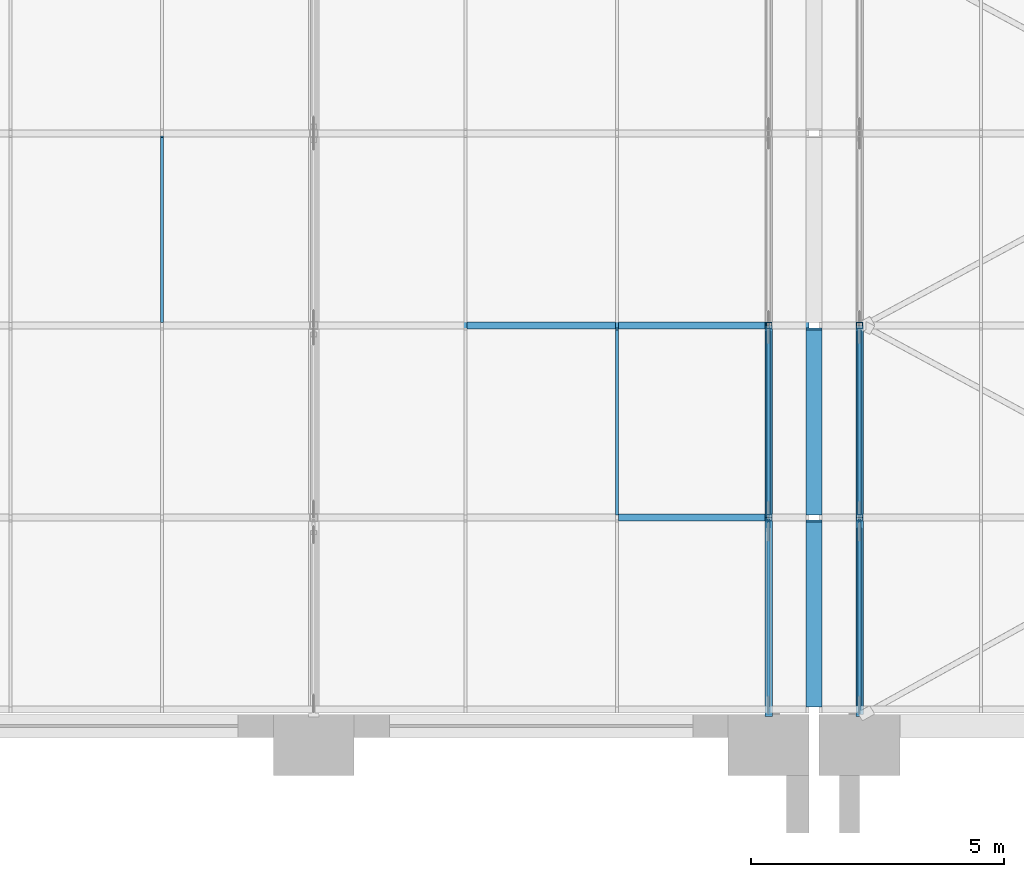
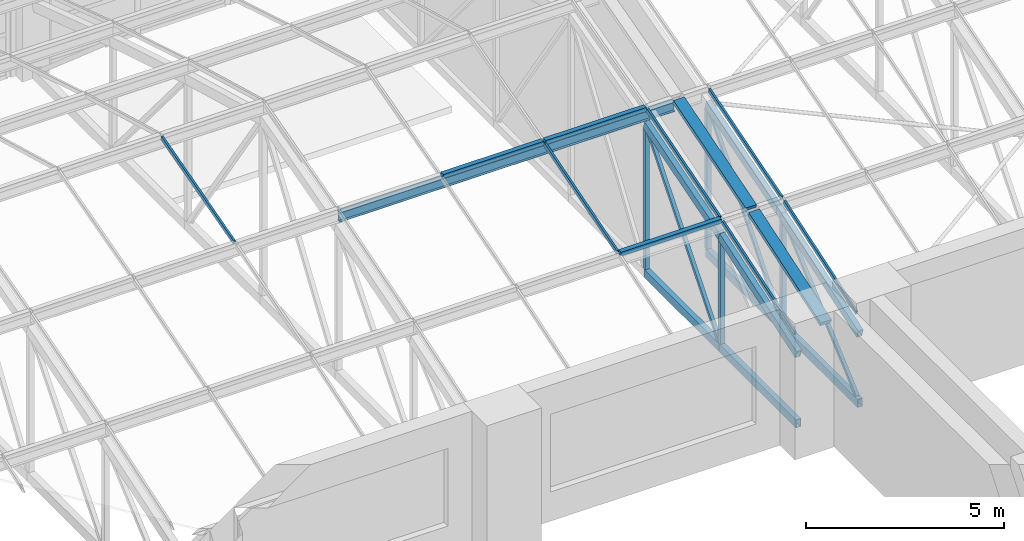
# One storey, part 22 of 82: 27 members, 2 elements without a shape of their own.
"""IFC4 building model written with IfcOpenShell, lengths in metres."""

from ifc_helpers import new_model, si_unit, direction, frame, origin, origin_2d, place, context, subcontext, project, spatial, rectangle, hollow_rectangle, i_section, extrude, material, material_profile, profile_set, type_object, element, aggregate, save


model = new_model("IFC4")

# Units and contexts
model_context = context("Model", 3, precision=1e-05, world=origin(), true_north=direction((0.0, 1.0)))
body_context = subcontext(model_context, "Body", "Model", "MODEL_VIEW")
ifc_project = project(units=[si_unit("LENGTHUNIT", "METRE"), si_unit("AREAUNIT", "SQUARE_METRE"), si_unit("VOLUMEUNIT", "CUBIC_METRE"), si_unit("PLANEANGLEUNIT", "RADIAN"), si_unit("MASSUNIT", "GRAM", prefix="KILO")], contexts=[model_context])

# Site, building, storey
site_placement = place(None, origin())
site = spatial("IfcSite", under=ifc_project, at=site_placement, CompositionType="ELEMENT")
building_placement = place(site_placement, origin())
building = spatial("IfcBuilding", under=site, at=building_placement, Name="Aravalli Gate Trade Fair Centre", CompositionType="ELEMENT")
storey_placement = place(building_placement, frame((0.0, 0.0, 19.199951171875)))
storey = spatial("IfcBuildingStorey", under=building, at=storey_placement, Name="L04", CompositionType="ELEMENT", Elevation=19.199951171875)

# Members
ifc_material_1 = material(Name="Steel E350", Category="steel")
ifc_material_profile_1 = material_profile(ifc_material_1, i_section(OverallWidth=0.139892578125, OverallDepth=0.300048828125, WebThickness=0.0078125, FlangeThickness=0.01318359375, at=origin_2d()), Name="ISMB 300")
ifc_profile_set_1 = profile_set([ifc_material_profile_1], Name="Steel E350")
member_type_1 = type_object("IfcMemberType", Name="ISMB 300 roof purlin", PredefinedType="PURLIN", material=ifc_profile_set_1)
member_1_placement = place(storey_placement, frame((96.0, 117.300048828125, 4.999267578125), z_axis=(1.0, 0.0, 0.0), x_axis=(0.0, 1.0, 0.0)))
element("IfcMember", 1, at=member_1_placement, inside=storey, type_object=member_type_1, Name="Vault purlin 11-12 F2", PredefinedType="PURLIN", context=body_context, shape_type="SweptSolid", body=[
    extrude(i_section(OverallWidth=0.139892578125, OverallDepth=0.300048828125, WebThickness=0.0078125, FlangeThickness=0.01318359375, at=origin_2d()), origin(), (0.0, 0.0, 1.0), 9.800048828125),
])
ifc_material_profile_2 = material_profile(ifc_material_1, hollow_rectangle(XDim=0.14990234375, YDim=0.25, WallThickness=0.010009765625, at=origin_2d()), Name="RHS 250x150x10")
ifc_profile_set_2 = profile_set([ifc_material_profile_2], Name="Steel E350")
member_type_2 = type_object("IfcMemberType", Name="RHS 250x150x10 CT2 truss chord", PredefinedType="CHORD", material=ifc_profile_set_2)
member_2_placement = place(storey_placement, frame((105.0, 109.60009765625, 2.265625), z_axis=(0.0, 0.949936473318, 0.312443109479), x_axis=(-1.0, 0.0, 0.0)))
element("IfcMember", 2, at=member_2_placement, inside=storey, type_object=member_type_2, Name="Concourse vault truss CT2 line 12 top chord T1", PredefinedType="CHORD", context=body_context, shape_type="SweptSolid", body=[
    extrude(hollow_rectangle(XDim=0.14990234375, YDim=0.25, WallThickness=0.010009765625, at=origin_2d()), origin(), (0.0, 0.0, 1.0), 4.10546875),
])
member_3_placement = place(storey_placement, frame((105.0, 109.60009765625, 0.125), z_axis=(0.0, 1.0, 0.0), x_axis=(-1.0, 0.0, 0.0)))
element("IfcMember", 3, at=member_3_placement, inside=storey, type_object=member_type_2, Name="Concourse vault truss CT2 line 12 bottom chord B1", PredefinedType="CHORD", context=body_context, shape_type="SweptSolid", body=[
    extrude(hollow_rectangle(XDim=0.14990234375, YDim=0.25, WallThickness=0.010009765625, at=origin_2d()), origin(), (0.0, 0.0, 1.0), 3.89990234375),
])
member_4_placement = place(storey_placement, frame((105.0, 113.5, 3.549560546875), z_axis=(0.0, 0.957138110877, 0.289631898634), x_axis=(-1.0, 0.0, 0.0)))
element("IfcMember", 4, at=member_4_placement, inside=storey, type_object=member_type_2, Name="Concourse vault truss CT2 line 12 top chord T2", PredefinedType="CHORD", context=body_context, shape_type="SweptSolid", body=[
    extrude(hollow_rectangle(XDim=0.14990234375, YDim=0.25, WallThickness=0.010009765625, at=origin_2d()), origin(), (0.0, 0.0, 1.0), 3.97021484375),
])
member_5_placement = place(storey_placement, frame((105.0, 113.5, 0.125), z_axis=(0.0, 1.0, 0.0), x_axis=(-1.0, 0.0, 0.0)))
element("IfcMember", 5, at=member_5_placement, inside=storey, type_object=member_type_2, Name="Concourse vault truss CT2 line 12 bottom chord B2", PredefinedType="CHORD", context=body_context, shape_type="SweptSolid", body=[
    extrude(hollow_rectangle(XDim=0.14990234375, YDim=0.25, WallThickness=0.010009765625, at=origin_2d()), origin(), (0.0, 0.0, 1.0), 3.800048828125),
])
member_6_placement = place(storey_placement, frame((106.800048828125, 109.60009765625, 2.265625), z_axis=(0.0, 0.949936473318, 0.312443109479), x_axis=(-1.0, 0.0, 0.0)))
element("IfcMember", 6, at=member_6_placement, inside=storey, type_object=member_type_2, Name="Concourse vault truss CT2 line 12A top chord T1", PredefinedType="CHORD", context=body_context, shape_type="SweptSolid", body=[
    extrude(hollow_rectangle(XDim=0.14990234375, YDim=0.25, WallThickness=0.010009765625, at=origin_2d()), origin(), (0.0, 0.0, 1.0), 4.10546875),
])
member_7_placement = place(storey_placement, frame((106.800048828125, 109.60009765625, 0.125), z_axis=(0.0, 1.0, 0.0), x_axis=(-1.0, 0.0, 0.0)))
element("IfcMember", 7, at=member_7_placement, inside=storey, type_object=member_type_2, Name="Concourse vault truss CT2 line 12A bottom chord B1", PredefinedType="CHORD", context=body_context, shape_type="SweptSolid", body=[
    extrude(hollow_rectangle(XDim=0.14990234375, YDim=0.25, WallThickness=0.010009765625, at=origin_2d()), origin(), (0.0, 0.0, 1.0), 3.89990234375),
])
member_8_placement = place(storey_placement, frame((106.800048828125, 113.5, 3.549560546875), z_axis=(0.0, 0.957138110877, 0.289631898634), x_axis=(-1.0, 0.0, 0.0)))
element("IfcMember", 8, at=member_8_placement, inside=storey, type_object=member_type_2, Name="Concourse vault truss CT2 line 12A top chord T2", PredefinedType="CHORD", context=body_context, shape_type="SweptSolid", body=[
    extrude(hollow_rectangle(XDim=0.14990234375, YDim=0.25, WallThickness=0.010009765625, at=origin_2d()), origin(), (0.0, 0.0, 1.0), 3.97021484375),
])
member_9_placement = place(storey_placement, frame((106.800048828125, 113.5, 0.125), z_axis=(0.0, 1.0, 0.0), x_axis=(-1.0, 0.0, 0.0)))
element("IfcMember", 9, at=member_9_placement, inside=storey, type_object=member_type_2, Name="Concourse vault truss CT2 line 12A bottom chord B2", PredefinedType="CHORD", context=body_context, shape_type="SweptSolid", body=[
    extrude(hollow_rectangle(XDim=0.14990234375, YDim=0.25, WallThickness=0.010009765625, at=origin_2d()), origin(), (0.0, 0.0, 1.0), 3.800048828125),
])
ifc_material_profile_3 = material_profile(ifc_material_1, hollow_rectangle(XDim=0.10009765625, YDim=0.10009765625, WallThickness=0.006103515625, at=origin_2d()), Name="SHS 100x100x6")
ifc_profile_set_3 = profile_set([ifc_material_profile_3], Name="Steel E350")
member_type_3 = type_object("IfcMemberType", Name="SHS 100x100x6 CT2 truss diagonal", PredefinedType="BRACE", material=ifc_profile_set_3)
member_10_placement = place(storey_placement, frame((105.0, 113.603759765625, 0.25), z_axis=(0.0, 0.638999701162, 0.769206982493), x_axis=(-1.0, 0.0, 0.0)))
element("IfcMember", 10, at=member_10_placement, inside=storey, type_object=member_type_3, Name="Concourse vault truss CT2 line 12 diagonal D2", PredefinedType="BRACE", context=body_context, shape_type="SweptSolid", body=[
    extrude(hollow_rectangle(XDim=0.10009765625, YDim=0.10009765625, WallThickness=0.006103515625, at=origin_2d()), origin(), (0.0, 0.0, 1.0), 5.5576171875),
])
member_11_placement = place(storey_placement, frame((106.800048828125, 109.742431640625, 0.25), z_axis=(0.0, 0.751512751569, 0.659718564411), x_axis=(-1.0, 0.0, 0.0)))
element("IfcMember", 11, at=member_11_placement, inside=storey, type_object=member_type_3, Name="Concourse vault truss CT2 line 12A diagonal D1", PredefinedType="BRACE", context=body_context, shape_type="SweptSolid", body=[
    extrude(hollow_rectangle(XDim=0.10009765625, YDim=0.10009765625, WallThickness=0.006103515625, at=origin_2d()), origin(), (0.0, 0.0, 1.0), 4.680908203125),
])
member_12_placement = place(storey_placement, frame((106.800048828125, 113.603759765625, 0.25), z_axis=(0.0, 0.638999701162, 0.769206982493), x_axis=(-1.0, 0.0, 0.0)))
element("IfcMember", 12, at=member_12_placement, inside=storey, type_object=member_type_3, Name="Concourse vault truss CT2 line 12A diagonal D2", PredefinedType="BRACE", context=body_context, shape_type="SweptSolid", body=[
    extrude(hollow_rectangle(XDim=0.10009765625, YDim=0.10009765625, WallThickness=0.006103515625, at=origin_2d()), origin(), (0.0, 0.0, 1.0), 5.5576171875),
])
ifc_material_profile_4 = material_profile(ifc_material_1, hollow_rectangle(XDim=0.125, YDim=0.125, WallThickness=0.006103515625, at=origin_2d()), Name="SHS 125x125x6")
ifc_profile_set_4 = profile_set([ifc_material_profile_4], Name="Steel E350")
member_type_4 = type_object("IfcMemberType", Name="SHS 125x125x6 CT2 truss post", PredefinedType="POST", material=ifc_profile_set_4)
member_13_placement = place(storey_placement, frame((105.0, 113.5, 0.25), z_axis=(0.0, 0.0, 1.0), x_axis=(1.0, 0.0, 0.0)))
element("IfcMember", 13, at=member_13_placement, inside=storey, type_object=member_type_4, Name="Concourse vault truss CT2 line 12 post V1", PredefinedType="POST", context=body_context, shape_type="SweptSolid", body=[
    extrude(hollow_rectangle(XDim=0.125, YDim=0.125, WallThickness=0.006103515625, at=origin_2d()), origin(), (0.0, 0.0, 1.0), 3.166748046875),
])
member_14_placement = place(storey_placement, frame((105.0, 117.300048828125, 0.25), z_axis=(0.0, 0.0, 1.0), x_axis=(1.0, 0.0, 0.0)))
element("IfcMember", 14, at=member_14_placement, inside=storey, type_object=member_type_4, Name="Concourse vault truss CT2 line 12 post V2", PredefinedType="POST", context=body_context, shape_type="SweptSolid", body=[
    extrude(hollow_rectangle(XDim=0.125, YDim=0.125, WallThickness=0.006103515625, at=origin_2d()), origin(), (0.0, 0.0, 1.0), 4.31884765625),
])
member_15_placement = place(storey_placement, frame((106.800048828125, 113.5, 0.25), z_axis=(0.0, 0.0, 1.0), x_axis=(1.0, 0.0, 0.0)))
element("IfcMember", 15, at=member_15_placement, inside=storey, type_object=member_type_4, Name="Concourse vault truss CT2 line 12A post V1", PredefinedType="POST", context=body_context, shape_type="SweptSolid", body=[
    extrude(hollow_rectangle(XDim=0.125, YDim=0.125, WallThickness=0.006103515625, at=origin_2d()), origin(), (0.0, 0.0, 1.0), 3.166748046875),
])
member_16_placement = place(storey_placement, frame((106.800048828125, 117.300048828125, 0.25), z_axis=(0.0, 0.0, 1.0), x_axis=(1.0, 0.0, 0.0)))
element("IfcMember", 16, at=member_16_placement, inside=storey, type_object=member_type_4, Name="Concourse vault truss CT2 line 12A post V2", PredefinedType="POST", context=body_context, shape_type="SweptSolid", body=[
    extrude(hollow_rectangle(XDim=0.125, YDim=0.125, WallThickness=0.006103515625, at=origin_2d()), origin(), (0.0, 0.0, 1.0), 4.31884765625),
])
ifc_material_2 = material(Name="Aluminium", Category="aluminium")
ifc_material_profile_5 = material_profile(ifc_material_2, rectangle(XDim=0.139892578125, YDim=0.1201171875, at=origin_2d()), Name="Vault fold cap 140 x 120")
ifc_profile_set_5 = profile_set([ifc_material_profile_5], Name="Aluminium")
member_type_5 = type_object("IfcMemberType", Name="Vault fold cap 140 x 120", PredefinedType="USERDEFINED", material=ifc_profile_set_5)
for number, where, z_axis, x_axis, name in (
    (17, (99.030029296875, 117.300048828125, 5.209228515625), (1.0, 0.0, 0.0), (0.0, 1.0, 0.0), "Vault fold cap w29.2"),
    (18, (102.030029296875, 113.5, 4.061279296875), (1.0, 0.0, 0.0), (0.0, 1.0, 0.0), "Vault fold cap w30.1"),
    (19, (102.030029296875, 117.300048828125, 5.209228515625), (1.0, 0.0, 0.0), (0.0, 1.0, 0.0), "Vault fold cap w30.2"),
):
    element("IfcMember", number, at=place(storey_placement, frame(where, z_axis=z_axis, x_axis=x_axis)), inside=storey, type_object=member_type_5, Name=name, ObjectType="FOLD CAP", PredefinedType="USERDEFINED", context=body_context, shape_type="SweptSolid", body=[
        extrude(rectangle(XDim=0.139892578125, YDim=0.1201171875, at=origin_2d()), origin(), (0.0, 0.0, 1.0), 2.93994140625),
    ])

# Curtain wall, members
ifc_material_3 = material(Name="Aluminium and glass", Category="aluminium")
curtain_wall_type = type_object("IfcCurtainWallType", Name="Vault curtain wall, sloped glazing", PredefinedType="NOTDEFINED", material=ifc_material_3)
curtain_wall_1_placement = place(storey_placement, origin())
curtain_wall_1 = element("IfcCurtainWall", 20, at=curtain_wall_1_placement, inside=storey, type_object=curtain_wall_type, Name="Vault curtain wall w", PredefinedType="NOTDEFINED")
ifc_material_profile_6 = material_profile(ifc_material_2, rectangle(XDim=0.06005859375, YDim=0.1201171875, at=origin_2d()), Name="Vault glazing bar 60 x 120")
ifc_profile_set_6 = profile_set([ifc_material_profile_6], Name="Aluminium")
member_type_6 = type_object("IfcMemberType", Name="Vault glazing bar 60 x 120", PredefinedType="USERDEFINED", material=ifc_profile_set_6)
member_17_placement = place(storey_placement, frame((93.0, 117.3701171875, 5.20703125), z_axis=(0.0, 0.96386804037, 0.266380180859), x_axis=(-1.0, 0.0, 0.0)))
member_17 = element("IfcMember", 21, at=member_17_placement, type_object=member_type_6, Name="Vault glazing bar w27.3", ObjectType="GLAZING BAR", PredefinedType="USERDEFINED", context=body_context, shape_type="SweptSolid", body=[
    extrude(rectangle(XDim=0.06005859375, YDim=0.1201171875, at=origin_2d()), origin(), (0.0, 0.0, 1.0), 3.797119140625),
])
member_18_placement = place(storey_placement, frame((102.0, 113.570068359375, 4.05859375), z_axis=(0.0, 0.957125834694, 0.289672464279), x_axis=(-1.0, 0.0, 0.0)))
member_18 = element("IfcMember", 22, at=member_18_placement, type_object=member_type_6, Name="Vault glazing bar w30.2", ObjectType="GLAZING BAR", PredefinedType="USERDEFINED", context=body_context, shape_type="SweptSolid", body=[
    extrude(rectangle(XDim=0.06005859375, YDim=0.1201171875, at=origin_2d()), origin(), (0.0, 0.0, 1.0), 3.823974609375),
])
member_19_placement = place(storey_placement, frame((105.0, 109.77001953125, 2.81005859375), z_axis=(0.0, 0.949930492103, 0.31246129388), x_axis=(-1.0, 0.0, 0.0)))
member_19 = element("IfcMember", 23, at=member_19_placement, type_object=member_type_6, Name="Vault glazing bar w31.1", ObjectType="GLAZING BAR", PredefinedType="USERDEFINED", context=body_context, shape_type="SweptSolid", body=[
    extrude(rectangle(XDim=0.06005859375, YDim=0.1201171875, at=origin_2d()), origin(), (0.0, 0.0, 1.0), 3.852783203125),
])
member_20_placement = place(storey_placement, frame((105.0, 113.570068359375, 4.05859375), z_axis=(0.0, 0.957125834694, 0.289672464279), x_axis=(-1.0, 0.0, 0.0)))
member_20 = element("IfcMember", 24, at=member_20_placement, type_object=member_type_6, Name="Vault glazing bar w31.2", ObjectType="GLAZING BAR", PredefinedType="USERDEFINED", context=body_context, shape_type="SweptSolid", body=[
    extrude(rectangle(XDim=0.06005859375, YDim=0.1201171875, at=origin_2d()), origin(), (0.0, 0.0, 1.0), 3.823974609375),
])

curtain_wall_2_placement = place(storey_placement, origin())
curtain_wall_2 = element("IfcCurtainWall", 25, at=curtain_wall_2_placement, inside=storey, type_object=curtain_wall_type, Name="Vault curtain wall e", PredefinedType="NOTDEFINED")
member_21_placement = place(storey_placement, frame((106.800048828125, 109.77001953125, 2.81005859375), z_axis=(0.0, 0.949930492103, 0.31246129388), x_axis=(-1.0, 0.0, 0.0)))
member_21 = element("IfcMember", 26, at=member_21_placement, type_object=member_type_6, Name="Vault glazing bar e2.1", ObjectType="GLAZING BAR", PredefinedType="USERDEFINED", context=body_context, shape_type="SweptSolid", body=[
    extrude(rectangle(XDim=0.06005859375, YDim=0.1201171875, at=origin_2d()), origin(), (0.0, 0.0, 1.0), 3.852783203125),
])
member_22_placement = place(storey_placement, frame((106.800048828125, 113.570068359375, 4.05859375), z_axis=(0.0, 0.957125834694, 0.289672464279), x_axis=(-1.0, 0.0, 0.0)))
member_22 = element("IfcMember", 27, at=member_22_placement, type_object=member_type_6, Name="Vault glazing bar e2.2", ObjectType="GLAZING BAR", PredefinedType="USERDEFINED", context=body_context, shape_type="SweptSolid", body=[
    extrude(rectangle(XDim=0.06005859375, YDim=0.1201171875, at=origin_2d()), origin(), (0.0, 0.0, 1.0), 3.823974609375),
])
aggregate(curtain_wall_2, [member_21, member_22])

# Member
ifc_material_profile_7 = material_profile(ifc_material_2, rectangle(XDim=0.320068359375, YDim=0.1201171875, at=origin_2d()), Name="Vault joint cover bar 320 x 120")
ifc_profile_set_7 = profile_set([ifc_material_profile_7], Name="Aluminium")
member_type_7 = type_object("IfcMemberType", Name="Vault joint cover bar 320 x 120", PredefinedType="USERDEFINED", material=ifc_profile_set_7)
member_23_placement = place(storey_placement, frame((105.89990234375, 109.77001953125, 2.81005859375), z_axis=(0.0, 0.949930492103, 0.31246129388), x_axis=(-1.0, 0.0, 0.0)))
member_23 = element("IfcMember", 28, at=member_23_placement, type_object=member_type_7, Name="Vault joint cover bar J2.1", ObjectType="GLAZING BAR", PredefinedType="USERDEFINED", context=body_context, shape_type="SweptSolid", body=[
    extrude(rectangle(XDim=0.320068359375, YDim=0.1201171875, at=origin_2d()), origin(), (0.0, 0.0, 1.0), 3.852783203125),
])

member_24_placement = place(storey_placement, frame((105.89990234375, 113.570068359375, 4.05859375), z_axis=(0.0, 0.957125834694, 0.289672464279), x_axis=(-1.0, 0.0, 0.0)))
member_24 = element("IfcMember", 29, at=member_24_placement, type_object=member_type_7, Name="Vault joint cover bar J2.2", ObjectType="GLAZING BAR", PredefinedType="USERDEFINED", context=body_context, shape_type="SweptSolid", body=[
    extrude(rectangle(XDim=0.320068359375, YDim=0.1201171875, at=origin_2d()), origin(), (0.0, 0.0, 1.0), 3.823974609375),
])

aggregate(curtain_wall_1, [member_17, member_18, member_19, member_20, member_23, member_24])

save(model, "model.ifc")
